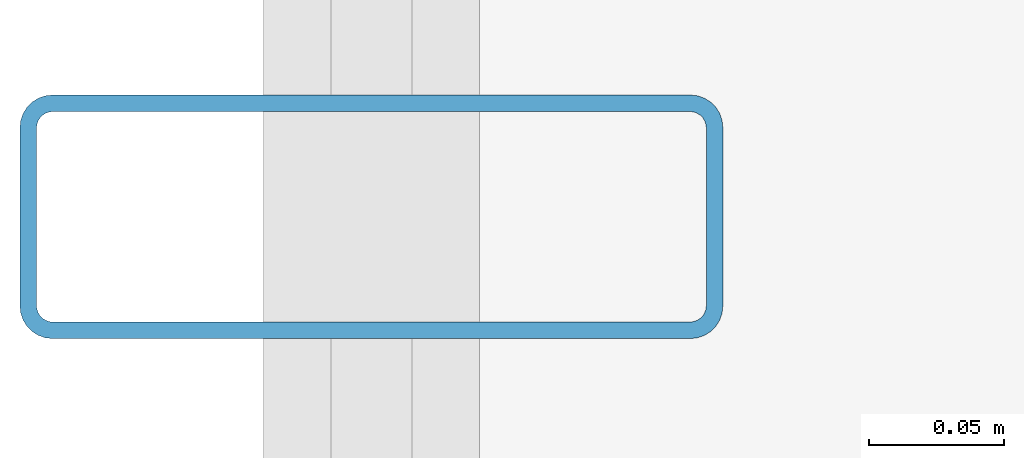
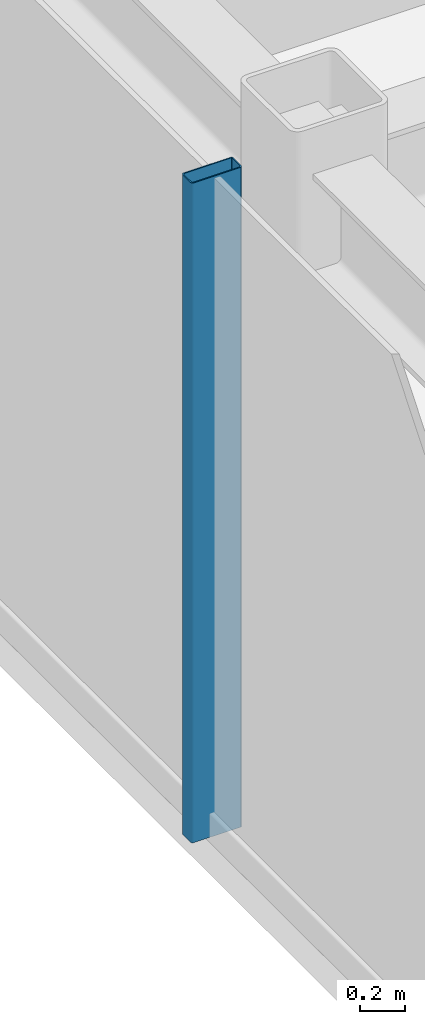
# One storey, part 4 of 17: 1 member, 1 element without a shape of its own.
"""IFC4 building model written with IfcOpenShell, lengths in metres."""

from ifc_helpers import new_model, si_unit, direction, frame, origin, origin_2d, place, context, subcontext, project, spatial, hollow_rectangle, extrude, source, transform, mapped, material, layer, layer_set, material_profile, profile_set, type_object, element, aggregate, save


model = new_model("IFC4")

# Units and contexts
model_context = context("Model", 3, precision=1e-05, world=origin(), true_north=direction((0.0, 1.0)))
body_context = subcontext(model_context, "Body", "Model", "MODEL_VIEW")
ifc_project = project(units=[si_unit("LENGTHUNIT", "METRE"), si_unit("AREAUNIT", "SQUARE_METRE"), si_unit("VOLUMEUNIT", "CUBIC_METRE"), si_unit("PLANEANGLEUNIT", "RADIAN"), si_unit("MASSUNIT", "GRAM", prefix="KILO")], contexts=[model_context])

# Site, building, storey
site_placement = place(None, origin())
site = spatial("IfcSite", under=ifc_project, at=site_placement, CompositionType="ELEMENT")
building_placement = place(site_placement, origin())
building = spatial("IfcBuilding", under=site, at=building_placement, Name="Nefas-Gora Pilgrimage Tower", CompositionType="ELEMENT")
storey_placement = place(building_placement, frame((0.0, 0.0, 341.39990234375)))
storey = spatial("IfcBuildingStorey", under=building, at=storey_placement, Name="L86", CompositionType="ELEMENT", Elevation=341.39990234375)

# Curtain wall, member
ifc_material_1 = material(Name="Dark ceramic-fritted solar-control aluminium-glass curtain wall", Category="aluminium")
ifc_layer = layer(ifc_material_1, 0.219970703125)
ifc_layer_set = layer_set([ifc_layer], Name="Dark ceramic-fritted solar-control aluminium-glass curtain wall")
curtain_wall_type = type_object("IfcCurtainWallType", Name="CW-SYS-4", PredefinedType="NOTDEFINED", material=ifc_layer_set)
curtain_wall_placement = place(storey_placement, origin())
curtain_wall = element("IfcCurtainWall", 1, at=curtain_wall_placement, inside=storey, type_object=curtain_wall_type, Name="L86 Unitised Curtain Wall CW4", PredefinedType="NOTDEFINED")
ifc_material_2 = material(Name="Anodised architectural aluminium", Category="aluminium")
ifc_material_profile = material_profile(ifc_material_2, hollow_rectangle(XDim=0.090087890625, YDim=0.260009765625, WallThickness=0.006103515625, InnerFilletRadius=0.006103515625, OuterFilletRadius=0.011962890625, at=origin_2d()), Name="ALU MULLION 90x260")
ifc_profile_set = profile_set([ifc_material_profile], Name="Anodised architectural aluminium")
member_type = type_object("IfcMemberType", Name="CWM-MUL-4", PredefinedType="MULLION", material=ifc_profile_set)
shared_shape = source(origin(), body_context, "Body", "SweptSolid", [
    extrude(hollow_rectangle(XDim=0.090087890625, YDim=0.260009765625, WallThickness=0.006103515625, InnerFilletRadius=0.006103515625, OuterFilletRadius=0.011962890625, at=origin_2d()), origin(), (0.0, 0.0, 1.0), 3.550048828125),
])
member_placement = place(storey_placement, frame((-25.27001953125, 0.0, 0.0), z_axis=(0.0, 0.0, 1.0), x_axis=(0.0, -1.0, 0.0)))
member = element("IfcMember", 2, at=member_placement, type_object=member_type, Name="CW4 Mullion 2", PredefinedType="MULLION", context=body_context, shape_type="MappedRepresentation", body=[
    mapped(shared_shape, transform((0.0, 0.0, 0.0), x_axis=(1.0, 0.0, 0.0), y_axis=(0.0, 1.0, 0.0), z_axis=(0.0, 0.0, 1.0), scale=1.0)),
])
aggregate(curtain_wall, [member])

save(model, "model.ifc")
